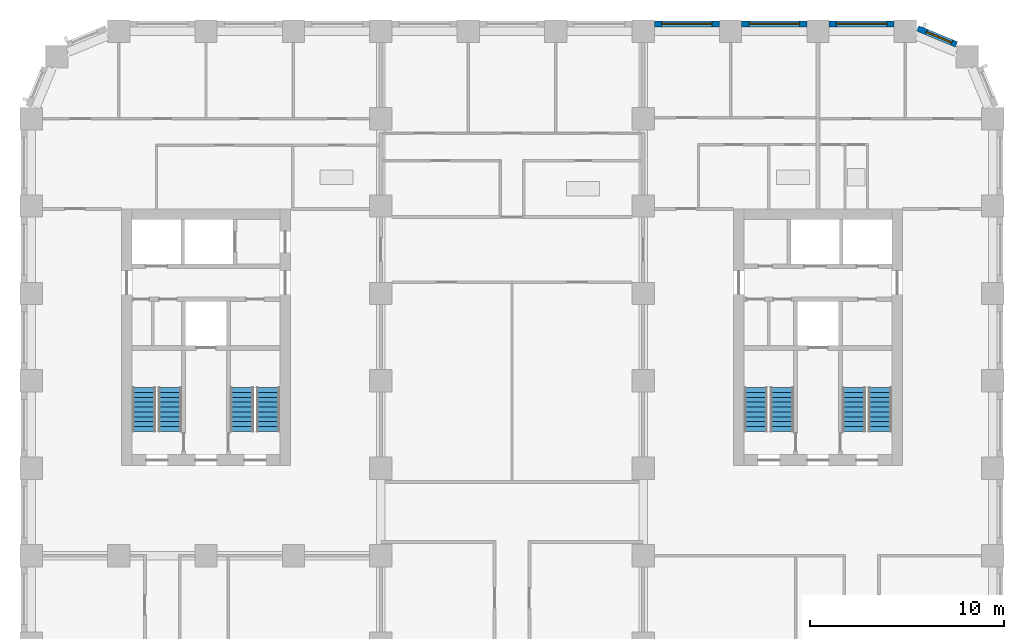
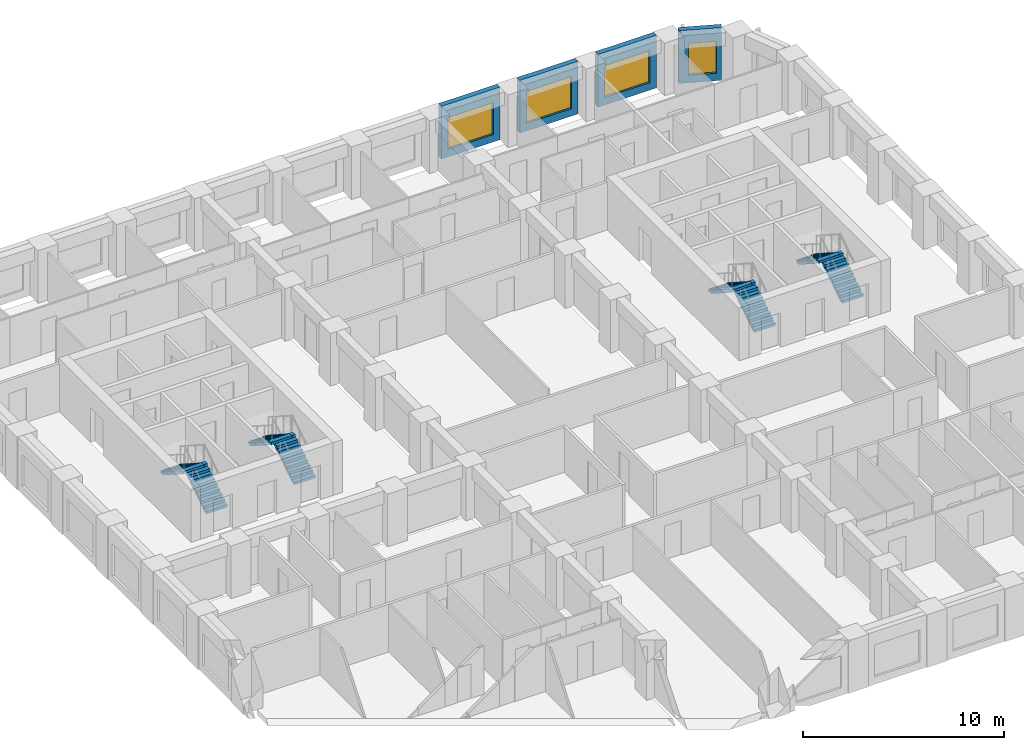
# One storey, part 10 of 13: 8 stair flights, 4 walls, 4 windows, 4 openings, 4 elements without a shape of their own.
"""IFC4 building model written with IfcOpenShell, lengths in metres."""

import ifcopenshell
import ifcopenshell.guid

model = None  # the IFC model being written
_history = None  # IfcOwnerHistory: only IFC2X3 demands one
_inside = {}  # id of a spatial element -> (the spatial element, [elements in it])
_under = {}  # id of a project, library or spatial element -> (it, [spatial elements below it])
_declared = {}  # id of a project -> (the project, [libraries it declares])
_typed = {}  # id of a type object -> (the type object, [elements of that type])
_made_of = {}  # id of a material, layer set ... -> (it, [elements and type objects made of it])


def new_model(schema):
    """Start an empty IFC model of exactly this schema.

    Asked for "IFC4X3", IfcOpenShell would pick the latest addendum, in which some entities
    have other attributes; the version numbers below select the first issue.
    IFC2X3 requires an IfcOwnerHistory on every rooted entity: one is made here for all.
    """
    global model, _history
    if schema == "IFC4X3":
        model = ifcopenshell.file(schema_version=(4, 3, 0, 0))
    else:
        model = ifcopenshell.file(schema=schema)
    _inside.clear()
    _under.clear()
    _declared.clear()
    _typed.clear()
    _made_of.clear()
    _history = None
    if model.schema == "IFC2X3":
        org = make("IfcOrganization", Name="unknown")
        user = make(
            "IfcPersonAndOrganization",
            ThePerson=make("IfcPerson", FamilyName="unknown"),
            TheOrganization=org,
        )
        app = make(
            "IfcApplication",
            ApplicationDeveloper=org,
            Version="unknown",
            ApplicationFullName="unknown",
            ApplicationIdentifier="unknown",
        )
        _history = make(
            "IfcOwnerHistory",
            OwningUser=user,
            OwningApplication=app,
            ChangeAction="ADDED",
            CreationDate=0,
        )
    return model


def make(cls, **values):
    """One entity of the class cls with the attributes given. An attribute that is None is left unset."""
    return model.create_entity(
        cls, **{name: value for name, value in values.items() if value is not None}
    )


def rooted(cls, **values):
    """An entity with a GlobalId (a new one), such as an element, a storey or a relation."""
    return make(cls, GlobalId=ifcopenshell.guid.new(), OwnerHistory=_history, **values)


def si_unit(unit_type, name, prefix=None):
    """IfcSIUnit, for example si_unit("LENGTHUNIT", "METRE", prefix="MILLI")."""
    return make("IfcSIUnit", UnitType=unit_type, Prefix=prefix, Name=name)


def assignment(units):
    """IfcUnitAssignment: the units of a project."""
    return None if units is None else make("IfcUnitAssignment", Units=units)


def point(xyz):
    """IfcCartesianPoint."""
    return None if xyz is None else make("IfcCartesianPoint", Coordinates=xyz)


def direction(xyz):
    """IfcDirection."""
    return None if xyz is None else make("IfcDirection", DirectionRatios=xyz)


def frame(location, z_axis=None, x_axis=None):
    """IfcAxis2Placement3D, a coordinate frame: its origin and axes. An axis left out is left unset."""
    return make(
        "IfcAxis2Placement3D",
        Location=point(location),
        Axis=direction(z_axis),
        RefDirection=direction(x_axis),
    )


def frame_2d(location, x_axis=None):
    """IfcAxis2Placement2D, a coordinate frame in the plane: its origin and x axis."""
    return make(
        "IfcAxis2Placement2D", Location=point(location), RefDirection=direction(x_axis)
    )


def origin():
    """The frame at (0, 0, 0) with its axes left unset."""
    return frame((0.0, 0.0, 0.0))


def place(relative_to, where):
    """IfcLocalPlacement: puts the frame where relative to a parent placement (None: the world)."""
    return make(
        "IfcLocalPlacement", PlacementRelTo=relative_to, RelativePlacement=where
    )


def context(
    kind, dimensions, precision=None, world=None, true_north=None, identifier=None
):
    """IfcGeometricRepresentationContext, for example the 3D "Model" context."""
    return make(
        "IfcGeometricRepresentationContext",
        ContextIdentifier=identifier,
        ContextType=kind,
        CoordinateSpaceDimension=dimensions,
        Precision=precision,
        WorldCoordinateSystem=world,
        TrueNorth=true_north,
    )


def subcontext(parent, identifier, kind, view, scale=None):
    """IfcGeometricRepresentationSubContext, for example "Body" below "Model"."""
    return make(
        "IfcGeometricRepresentationSubContext",
        ContextIdentifier=identifier,
        ContextType=kind,
        ParentContext=parent,
        TargetScale=scale,
        TargetView=view,
    )


def project(units=None, contexts=None):
    """IfcProject with its units and contexts."""
    return rooted(
        "IfcProject",
        Name="project",
        RepresentationContexts=contexts,
        UnitsInContext=assignment(units),
    )


def spatial(cls, under=None, at=None, **own):
    """A site, building, storey or space (cls), placed at a placement, below another one or the project."""
    s = rooted(cls, ObjectPlacement=at, **own)
    if under is not None:
        _under.setdefault(under.id(), (under, []))[1].append(s)
    return s


def polyline(points):
    """IfcPolyline through the points."""
    return make("IfcPolyline", Points=[point(p) for p in points])


def profile(cls, at=None, kind="AREA", **sizes):
    """A parametric profile (cls). Its sizes go by their IFC names, for example OverallWidth=200.0."""
    return make(cls, ProfileType=kind, Position=at, **sizes)


def rectangle(**sizes):
    """IfcRectangleProfileDef."""
    return profile("IfcRectangleProfileDef", **sizes)


def outline(outer, holes=None, kind="AREA"):
    """IfcArbitraryClosedProfileDef: a profile drawn as a closed curve; with holes, ...WithVoids."""
    if holes is None:
        return make("IfcArbitraryClosedProfileDef", ProfileType=kind, OuterCurve=outer)
    return make(
        "IfcArbitraryProfileDefWithVoids",
        ProfileType=kind,
        OuterCurve=outer,
        InnerCurves=holes,
    )


def extrude(swept, where, along, depth):
    """IfcExtrudedAreaSolid: the profile swept, set in the frame where, extruded along a direction by depth."""
    return make(
        "IfcExtrudedAreaSolid",
        SweptArea=swept,
        Position=where,
        ExtrudedDirection=direction(along),
        Depth=depth,
    )


def shape(context_of_items, identifier, shape_type, items):
    """IfcShapeRepresentation: the items that make up one representation, for example the "Body"."""
    return make(
        "IfcShapeRepresentation",
        ContextOfItems=context_of_items,
        RepresentationIdentifier=identifier,
        RepresentationType=shape_type,
        Items=items,
    )


def material(Name=None, Category=None):
    """IfcMaterial."""
    return make("IfcMaterial", Name=Name, Category=Category)


def layer(
    of_material, thickness, ventilated=None, Name=None, Category=None, Priority=None
):
    """IfcMaterialLayer: one layer of a wall or slab, of a material (None: an air gap)."""
    return make(
        "IfcMaterialLayer",
        Material=of_material,
        LayerThickness=thickness,
        IsVentilated=ventilated,
        Name=Name,
        Category=Category,
        Priority=Priority,
    )


def layer_set(layers, Name=None):
    """IfcMaterialLayerSet."""
    return make("IfcMaterialLayerSet", MaterialLayers=layers, LayerSetName=Name)


def made_of(thing, what):
    """Note that an element or type object is made of a material, layer set ...; save() writes the relation."""
    if what is not None:
        _made_of.setdefault(what.id(), (what, []))[1].append(thing)
    return thing


def type_object(cls, material=None, **own):
    """A type object (cls), such as IfcWallType, which elements share."""
    return made_of(rooted(cls, **own), material)


def element(
    cls,
    number,
    at=None,
    inside=None,
    cuts=None,
    type_object=None,
    material=None,
    context=None,
    identifier="Body",
    shape_type=None,
    held_by="IfcProductDefinitionShape",
    body=None,
    shapes=None,
    **own,
):
    """One element of the class cls, such as IfcWall. Its Tag is "e" and its number.

    at: its placement. inside: the storey or other place that contains it. cuts: it is an
    opening in that element (IfcRelVoidsElement). A single representation is given by context,
    identifier, shape_type and body (its items); several are given by shapes. held_by: the class
    of the entity that holds the representations. save() writes the other relations.
    """
    e = rooted(cls, Tag="e%d" % number, ObjectPlacement=at, **own)
    if body is not None:
        shapes = [shape(context, identifier, shape_type, body)]
    if shapes is not None:
        e.Representation = make(held_by, Representations=shapes)
    if inside is not None:
        _inside.setdefault(inside.id(), (inside, []))[1].append(e)
    if cuts is not None:
        rooted(
            "IfcRelVoidsElement", RelatingBuildingElement=cuts, RelatedOpeningElement=e
        )
    if type_object is not None:
        _typed.setdefault(type_object.id(), (type_object, []))[1].append(e)
    return made_of(e, material)


def fill(opening, filler):
    """IfcRelFillsElement: the door or window that sits in an opening."""
    return rooted(
        "IfcRelFillsElement",
        RelatingOpeningElement=opening,
        RelatedBuildingElement=filler,
    )


def aggregate(whole, parts):
    """IfcRelAggregates: a whole, such as a stair, and the parts it consists of."""
    return rooted("IfcRelAggregates", RelatingObject=whole, RelatedObjects=parts)


def save(model, path):
    """Write the relations noted so far, then the file.

    IfcRelAggregates (storeys below a building ...), IfcRelContainedInSpatialStructure (elements
    in a storey), IfcRelDefinesByType, IfcRelAssociatesMaterial and IfcRelDeclares: one each for
    every whole, place, type object, material and project.
    """
    for whole, parts in _under.values():
        aggregate(whole, parts)
    for where, things in _inside.values():
        rooted(
            "IfcRelContainedInSpatialStructure",
            RelatedElements=things,
            RelatingStructure=where,
        )
    for kind, things in _typed.values():
        rooted("IfcRelDefinesByType", RelatedObjects=things, RelatingType=kind)
    for what, things in _made_of.values():
        rooted("IfcRelAssociatesMaterial", RelatedObjects=things, RelatingMaterial=what)
    for by, libraries in _declared.values():
        rooted("IfcRelDeclares", RelatingContext=by, RelatedDefinitions=libraries)
    model.write(path)


model = new_model("IFC4")

# Units and contexts
model_context = context("Model", 3, precision=1e-05, world=origin(), true_north=direction((0.0, 1.0)))
body_context = subcontext(model_context, "Body", "Model", "MODEL_VIEW")
ifc_project = project(units=[si_unit("LENGTHUNIT", "METRE"), si_unit("AREAUNIT", "SQUARE_METRE"), si_unit("VOLUMEUNIT", "CUBIC_METRE"), si_unit("PLANEANGLEUNIT", "RADIAN"), si_unit("MASSUNIT", "GRAM", prefix="KILO")], contexts=[model_context])

# Site, building, storey
site_placement = place(None, origin())
site = spatial("IfcSite", under=ifc_project, at=site_placement, CompositionType="ELEMENT")
building_placement = place(site_placement, origin())
building = spatial("IfcBuilding", under=site, at=building_placement, Name="Girih Gate Residences", CompositionType="ELEMENT")
storey_placement = place(building_placement, frame((0.0, 0.0, 86.39990234375)))
storey = spatial("IfcBuildingStorey", under=building, at=storey_placement, Name="L23", CompositionType="ELEMENT", Elevation=86.39990234375)

# Wall, opening, window
ifc_material_1 = material(Name="Precast concrete C50/60", Category="concrete")
ifc_layer_1 = layer(ifc_material_1, 0.080078125, Name="Outer leaf")
ifc_material_2 = material(Name="Rigid PIR insulation")
ifc_layer_2 = layer(ifc_material_2, 0.14990234375, Name="Insulation")
ifc_material_3 = material(Name="Precast concrete C40/50", Category="concrete")
ifc_layer_3 = layer(ifc_material_3, 0.070068359375, Name="Inner leaf")
ifc_layer_set = layer_set([ifc_layer_1, ifc_layer_2, ifc_layer_3], Name="Precast concrete C50/60 external wall 300")
wall_type = type_object("IfcWallType", Name="Precast concrete C50/60 external wall 300", PredefinedType="SOLIDWALL", material=ifc_layer_set)
wall_1_placement = place(storey_placement, frame((45.63232421875, 49.64404296875, 0.0), z_axis=(0.0, 0.0, 1.0), x_axis=(0.923862802911, -0.382723818695, 0.0)))
wall_1 = element("IfcWall", 1, at=wall_1_placement, inside=storey, type_object=wall_type, Name="External wall NE0482_0482.0", PredefinedType="SOLIDWALL", context=body_context, shape_type="SweptSolid", body=[
    extrude(rectangle(XDim=2.163818359375, YDim=0.300048828125, at=frame_2d((1.08203125, 0.0))), origin(), (0.0, 0.0, 1.0), 3.2001953125),
])
opening_1_placement = place(wall_1_placement, frame((0.492919921875, 0.0, 0.449951171875)))
opening_1 = element("IfcOpeningElement", 2, at=opening_1_placement, cuts=wall_1, Name="Opening W-2D", PredefinedType="OPENING", context=body_context, shape_type="SweptSolid", body=[
    extrude(rectangle(XDim=1.39990234375, YDim=1.949951171875, at=frame_2d((0.699951171875, 0.97509765625))), frame((0.0, 0.159912109375, 0.0), z_axis=(0.0, -1.0, 0.0), x_axis=(1.0, 0.0, 0.0)), (0.0, 0.0, 1.0), 0.320068359375),
])
ifc_material_4 = material(Name="Double glazing in aluminium frame", Category="aluminium")
window_type_1 = type_object("IfcWindowType", Name="Window W-2D 1400x1950", PartitioningType="SINGLE_PANEL", PredefinedType="WINDOW", material=ifc_material_4)
window_1_placement = place(opening_1_placement, origin())
window_1 = element("IfcWindow", 3, at=window_1_placement, inside=storey, type_object=window_type_1, Name="Window W-2D NE0482_0482.0", OverallHeight=1.949951171875, OverallWidth=1.39990234375, PartitioningType="SINGLE_PANEL", PredefinedType="WINDOW", context=body_context, shape_type="SweptSolid", body=[
    extrude(rectangle(XDim=1.39990234375, YDim=1.949951171875, at=frame_2d((0.699951171875, 0.97509765625))), frame((0.0, 0.030029296875, 0.0), z_axis=(0.0, -1.0, 0.0), x_axis=(1.0, 0.0, 0.0)), (0.0, 0.0, 1.0), 0.06005859375),
])
fill(opening_1, window_1)

wall_2_placement = place(storey_placement, frame((41.074951171875, 49.875, 0.0), z_axis=(0.0, 0.0, 1.0), x_axis=(1.0, 0.0, 0.0)))
wall_2 = element("IfcWall", 4, at=wall_2_placement, inside=storey, type_object=wall_type, Name="External wall N0450_0495.0", PredefinedType="SOLIDWALL", context=body_context, shape_type="SweptSolid", body=[
    extrude(rectangle(XDim=3.35009765625, YDim=0.300048828125, at=frame_2d((1.675048828125, 0.0))), origin(), (0.0, 0.0, 1.0), 3.2001953125),
])
opening_2_placement = place(wall_2_placement, frame((0.375, 0.0, 0.449951171875)))
opening_2 = element("IfcOpeningElement", 5, at=opening_2_placement, cuts=wall_2, Name="Opening W-1A", PredefinedType="OPENING", context=body_context, shape_type="SweptSolid", body=[
    extrude(rectangle(XDim=2.60009765625, YDim=1.949951171875, at=frame_2d((1.300048828125, 0.97509765625))), frame((0.0, 0.159912109375, 0.0), z_axis=(0.0, -1.0, 0.0), x_axis=(1.0, 0.0, 0.0)), (0.0, 0.0, 1.0), 0.320068359375),
])
window_type_2 = type_object("IfcWindowType", Name="Window W-1A 2600x1950", PartitioningType="SINGLE_PANEL", PredefinedType="WINDOW", material=ifc_material_4)
window_2_placement = place(opening_2_placement, origin())
window_2 = element("IfcWindow", 6, at=window_2_placement, inside=storey, type_object=window_type_2, Name="Window W-1A N0450_0495.0", OverallHeight=1.949951171875, OverallWidth=2.60009765625, PartitioningType="SINGLE_PANEL", PredefinedType="WINDOW", context=body_context, shape_type="SweptSolid", body=[
    extrude(rectangle(XDim=2.60009765625, YDim=1.949951171875, at=frame_2d((1.300048828125, 0.97509765625))), frame((0.0, 0.030029296875, 0.0), z_axis=(0.0, -1.0, 0.0), x_axis=(1.0, 0.0, 0.0)), (0.0, 0.0, 1.0), 0.06005859375),
])
fill(opening_2, window_2)

wall_3_placement = place(storey_placement, frame((36.574951171875, 49.875, 0.0), z_axis=(0.0, 0.0, 1.0), x_axis=(1.0, 0.0, 0.0)))
wall_3 = element("IfcWall", 7, at=wall_3_placement, inside=storey, type_object=wall_type, Name="External wall N0450_0495.1", PredefinedType="SOLIDWALL", context=body_context, shape_type="SweptSolid", body=[
    extrude(rectangle(XDim=3.35009765625, YDim=0.300048828125, at=frame_2d((1.675048828125, 0.0))), origin(), (0.0, 0.0, 1.0), 3.2001953125),
])
opening_3_placement = place(wall_3_placement, frame((0.375, 0.0, 0.449951171875)))
opening_3 = element("IfcOpeningElement", 8, at=opening_3_placement, cuts=wall_3, Name="Opening W-1A", PredefinedType="OPENING", context=body_context, shape_type="SweptSolid", body=[
    extrude(rectangle(XDim=2.60009765625, YDim=1.949951171875, at=frame_2d((1.300048828125, 0.97509765625))), frame((0.0, 0.159912109375, 0.0), z_axis=(0.0, -1.0, 0.0), x_axis=(1.0, 0.0, 0.0)), (0.0, 0.0, 1.0), 0.320068359375),
])
window_3_placement = place(opening_3_placement, origin())
window_3 = element("IfcWindow", 9, at=window_3_placement, inside=storey, type_object=window_type_2, Name="Window W-1A N0450_0495.1", OverallHeight=1.949951171875, OverallWidth=2.60009765625, PartitioningType="SINGLE_PANEL", PredefinedType="WINDOW", context=body_context, shape_type="SweptSolid", body=[
    extrude(rectangle(XDim=2.60009765625, YDim=1.949951171875, at=frame_2d((1.300048828125, 0.97509765625))), frame((0.0, 0.030029296875, 0.0), z_axis=(0.0, -1.0, 0.0), x_axis=(1.0, 0.0, 0.0)), (0.0, 0.0, 1.0), 0.06005859375),
])
fill(opening_3, window_3)

wall_4_placement = place(storey_placement, frame((32.074951171875, 49.875, 0.0), z_axis=(0.0, 0.0, 1.0), x_axis=(1.0, 0.0, 0.0)))
wall_4 = element("IfcWall", 10, at=wall_4_placement, inside=storey, type_object=wall_type, Name="External wall N0450_0495.2", PredefinedType="SOLIDWALL", context=body_context, shape_type="SweptSolid", body=[
    extrude(rectangle(XDim=3.35009765625, YDim=0.300048828125, at=frame_2d((1.675048828125, 0.0))), origin(), (0.0, 0.0, 1.0), 3.2001953125),
])
opening_4_placement = place(wall_4_placement, frame((0.375, 0.0, 0.449951171875)))
opening_4 = element("IfcOpeningElement", 11, at=opening_4_placement, cuts=wall_4, Name="Opening W-1A", PredefinedType="OPENING", context=body_context, shape_type="SweptSolid", body=[
    extrude(rectangle(XDim=2.60009765625, YDim=1.949951171875, at=frame_2d((1.300048828125, 0.97509765625))), frame((0.0, 0.159912109375, 0.0), z_axis=(0.0, -1.0, 0.0), x_axis=(1.0, 0.0, 0.0)), (0.0, 0.0, 1.0), 0.320068359375),
])
window_4_placement = place(opening_4_placement, origin())
window_4 = element("IfcWindow", 12, at=window_4_placement, inside=storey, type_object=window_type_2, Name="Window W-1A N0450_0495.2", OverallHeight=1.949951171875, OverallWidth=2.60009765625, PartitioningType="SINGLE_PANEL", PredefinedType="WINDOW", context=body_context, shape_type="SweptSolid", body=[
    extrude(rectangle(XDim=2.60009765625, YDim=1.949951171875, at=frame_2d((1.300048828125, 0.97509765625))), frame((0.0, 0.030029296875, 0.0), z_axis=(0.0, -1.0, 0.0), x_axis=(1.0, 0.0, 0.0)), (0.0, 0.0, 1.0), 0.06005859375),
])
fill(opening_4, window_4)

# Stair, stair flights
ifc_material_5 = material(Name="Concrete C40/50", Category="concrete")
stair_type = type_object("IfcStairType", Name="Exit stair", PredefinedType="HALF_TURN_STAIR", material=ifc_material_5)
stair_1_placement = place(storey_placement, origin())
stair_1 = element("IfcStair", 13, at=stair_1_placement, inside=storey, type_object=stair_type, Name="L23 Exit Stair ST-W1", PredefinedType="HALF_TURN_STAIR")
stair_flight_type = type_object("IfcStairFlightType", Name="Stair flight 1200", PredefinedType="STRAIGHT", material=ifc_material_5)
stair_flight_1_placement = place(storey_placement, frame((7.14990234375, 28.89990234375, 0.0), z_axis=(0.0, 0.0, 1.0), x_axis=(0.0, 1.0, 0.0)))
stair_flight_1 = element("IfcStairFlight", 14, at=stair_flight_1_placement, type_object=stair_flight_type, Name="ST-W1 flight 1", NumberOfRisers=10, NumberOfTreads=9, PredefinedType="STRAIGHT", RiserHeight=0.16, TreadLength=0.25, context=body_context, shape_type="SweptSolid", body=[
    extrude(outline(polyline([(0.0, 0.0), (0.0, 0.159912109375), (0.25, 0.159912109375), (0.25, 0.320068359375), (0.5, 0.320068359375), (0.5, 0.47998046875), (0.75, 0.47998046875), (0.75, 0.639892578125), (1.0, 0.639892578125), (1.0, 0.800048828125), (1.25, 0.800048828125), (1.25, 0.9599609375), (1.5, 0.9599609375), (1.5, 1.1201171875), (1.75, 1.1201171875), (1.75, 1.280029296875), (2.0, 1.280029296875), (2.0, 1.43994140625), (2.25, 1.43994140625), (2.25, 1.60009765625), (2.25, 1.29736328125), (0.222900390625, 0.0), (0.0, 0.0)])), frame((0.0, 0.60009765625, 0.0), z_axis=(0.0, -1.0, 0.0), x_axis=(1.0, 0.0, 0.0)), (0.0, 0.0, 1.0), 1.199951171875),
])
stair_flight_2_placement = place(storey_placement, frame((5.800048828125, 31.14990234375, 1.60009765625), z_axis=(0.0, 0.0, 1.0), x_axis=(0.0, -1.0, 0.0)))
stair_flight_2 = element("IfcStairFlight", 15, at=stair_flight_2_placement, type_object=stair_flight_type, Name="ST-W1 flight 2", NumberOfRisers=10, NumberOfTreads=9, PredefinedType="STRAIGHT", RiserHeight=0.16, TreadLength=0.25, context=body_context, shape_type="SweptSolid", body=[
    extrude(outline(polyline([(0.0, 0.0), (0.0, 0.159912109375), (0.25, 0.159912109375), (0.25, 0.320068359375), (0.5, 0.320068359375), (0.5, 0.47998046875), (0.75, 0.47998046875), (0.75, 0.639892578125), (1.0, 0.639892578125), (1.0, 0.800048828125), (1.25, 0.800048828125), (1.25, 0.9599609375), (1.5, 0.9599609375), (1.5, 1.1201171875), (1.75, 1.1201171875), (1.75, 1.280029296875), (2.0, 1.280029296875), (2.0, 1.43994140625), (2.25, 1.43994140625), (2.25, 1.60009765625), (2.25, 1.29736328125), (0.222900390625, 0.0), (0.0, 0.0)])), frame((0.0, 0.60009765625, 0.0), z_axis=(0.0, -1.0, 0.0), x_axis=(1.0, 0.0, 0.0)), (0.0, 0.0, 1.0), 1.199951171875),
])
aggregate(stair_1, [stair_flight_1, stair_flight_2])

stair_2_placement = place(storey_placement, origin())
stair_2 = element("IfcStair", 16, at=stair_2_placement, inside=storey, type_object=stair_type, Name="L23 Exit Stair ST-W2", PredefinedType="HALF_TURN_STAIR")
stair_flight_3_placement = place(storey_placement, frame((12.199951171875, 28.89990234375, 0.0), z_axis=(0.0, 0.0, 1.0), x_axis=(0.0, 1.0, 0.0)))
stair_flight_3 = element("IfcStairFlight", 17, at=stair_flight_3_placement, type_object=stair_flight_type, Name="ST-W2 flight 1", NumberOfRisers=10, NumberOfTreads=9, PredefinedType="STRAIGHT", RiserHeight=0.16, TreadLength=0.25, context=body_context, shape_type="SweptSolid", body=[
    extrude(outline(polyline([(0.0, 0.0), (0.0, 0.159912109375), (0.25, 0.159912109375), (0.25, 0.320068359375), (0.5, 0.320068359375), (0.5, 0.47998046875), (0.75, 0.47998046875), (0.75, 0.639892578125), (1.0, 0.639892578125), (1.0, 0.800048828125), (1.25, 0.800048828125), (1.25, 0.9599609375), (1.5, 0.9599609375), (1.5, 1.1201171875), (1.75, 1.1201171875), (1.75, 1.280029296875), (2.0, 1.280029296875), (2.0, 1.43994140625), (2.25, 1.43994140625), (2.25, 1.60009765625), (2.25, 1.29736328125), (0.222900390625, 0.0), (0.0, 0.0)])), frame((0.0, 0.60009765625, 0.0), z_axis=(0.0, -1.0, 0.0), x_axis=(1.0, 0.0, 0.0)), (0.0, 0.0, 1.0), 1.199951171875),
])
stair_flight_4_placement = place(storey_placement, frame((10.85009765625, 31.14990234375, 1.60009765625), z_axis=(0.0, 0.0, 1.0), x_axis=(0.0, -1.0, 0.0)))
stair_flight_4 = element("IfcStairFlight", 18, at=stair_flight_4_placement, type_object=stair_flight_type, Name="ST-W2 flight 2", NumberOfRisers=10, NumberOfTreads=9, PredefinedType="STRAIGHT", RiserHeight=0.16, TreadLength=0.25, context=body_context, shape_type="SweptSolid", body=[
    extrude(outline(polyline([(0.0, 0.0), (0.0, 0.159912109375), (0.25, 0.159912109375), (0.25, 0.320068359375), (0.5, 0.320068359375), (0.5, 0.47998046875), (0.75, 0.47998046875), (0.75, 0.639892578125), (1.0, 0.639892578125), (1.0, 0.800048828125), (1.25, 0.800048828125), (1.25, 0.9599609375), (1.5, 0.9599609375), (1.5, 1.1201171875), (1.75, 1.1201171875), (1.75, 1.280029296875), (2.0, 1.280029296875), (2.0, 1.43994140625), (2.25, 1.43994140625), (2.25, 1.60009765625), (2.25, 1.29736328125), (0.222900390625, 0.0), (0.0, 0.0)])), frame((0.0, 0.60009765625, 0.0), z_axis=(0.0, -1.0, 0.0), x_axis=(1.0, 0.0, 0.0)), (0.0, 0.0, 1.0), 1.199951171875),
])
aggregate(stair_2, [stair_flight_3, stair_flight_4])

stair_3_placement = place(storey_placement, origin())
stair_3 = element("IfcStair", 19, at=stair_3_placement, inside=storey, type_object=stair_type, Name="L23 Exit Stair ST-E1", PredefinedType="HALF_TURN_STAIR")
stair_flight_5_placement = place(storey_placement, frame((43.699951171875, 28.89990234375, 0.0), z_axis=(0.0, 0.0, 1.0), x_axis=(0.0, 1.0, 0.0)))
stair_flight_5 = element("IfcStairFlight", 20, at=stair_flight_5_placement, type_object=stair_flight_type, Name="ST-E1 flight 1", NumberOfRisers=10, NumberOfTreads=9, PredefinedType="STRAIGHT", RiserHeight=0.16, TreadLength=0.25, context=body_context, shape_type="SweptSolid", body=[
    extrude(outline(polyline([(0.0, 0.0), (0.0, 0.159912109375), (0.25, 0.159912109375), (0.25, 0.320068359375), (0.5, 0.320068359375), (0.5, 0.47998046875), (0.75, 0.47998046875), (0.75, 0.639892578125), (1.0, 0.639892578125), (1.0, 0.800048828125), (1.25, 0.800048828125), (1.25, 0.9599609375), (1.5, 0.9599609375), (1.5, 1.1201171875), (1.75, 1.1201171875), (1.75, 1.280029296875), (2.0, 1.280029296875), (2.0, 1.43994140625), (2.25, 1.43994140625), (2.25, 1.60009765625), (2.25, 1.29736328125), (0.222900390625, 0.0), (0.0, 0.0)])), frame((0.0, 0.60009765625, 0.0), z_axis=(0.0, -1.0, 0.0), x_axis=(1.0, 0.0, 0.0)), (0.0, 0.0, 1.0), 1.199951171875),
])
stair_flight_6_placement = place(storey_placement, frame((42.35009765625, 31.14990234375, 1.60009765625), z_axis=(0.0, 0.0, 1.0), x_axis=(0.0, -1.0, 0.0)))
stair_flight_6 = element("IfcStairFlight", 21, at=stair_flight_6_placement, type_object=stair_flight_type, Name="ST-E1 flight 2", NumberOfRisers=10, NumberOfTreads=9, PredefinedType="STRAIGHT", RiserHeight=0.16, TreadLength=0.25, context=body_context, shape_type="SweptSolid", body=[
    extrude(outline(polyline([(0.0, 0.0), (0.0, 0.159912109375), (0.25, 0.159912109375), (0.25, 0.320068359375), (0.5, 0.320068359375), (0.5, 0.47998046875), (0.75, 0.47998046875), (0.75, 0.639892578125), (1.0, 0.639892578125), (1.0, 0.800048828125), (1.25, 0.800048828125), (1.25, 0.9599609375), (1.5, 0.9599609375), (1.5, 1.1201171875), (1.75, 1.1201171875), (1.75, 1.280029296875), (2.0, 1.280029296875), (2.0, 1.43994140625), (2.25, 1.43994140625), (2.25, 1.60009765625), (2.25, 1.29736328125), (0.222900390625, 0.0), (0.0, 0.0)])), frame((0.0, 0.60009765625, 0.0), z_axis=(0.0, -1.0, 0.0), x_axis=(1.0, 0.0, 0.0)), (0.0, 0.0, 1.0), 1.199951171875),
])
aggregate(stair_3, [stair_flight_5, stair_flight_6])

stair_4_placement = place(storey_placement, origin())
stair_4 = element("IfcStair", 22, at=stair_4_placement, inside=storey, type_object=stair_type, Name="L23 Exit Stair ST-E2", PredefinedType="HALF_TURN_STAIR")
stair_flight_7_placement = place(storey_placement, frame((38.64990234375, 28.89990234375, 0.0), z_axis=(0.0, 0.0, 1.0), x_axis=(0.0, 1.0, 0.0)))
stair_flight_7 = element("IfcStairFlight", 23, at=stair_flight_7_placement, type_object=stair_flight_type, Name="ST-E2 flight 1", NumberOfRisers=10, NumberOfTreads=9, PredefinedType="STRAIGHT", RiserHeight=0.16, TreadLength=0.25, context=body_context, shape_type="SweptSolid", body=[
    extrude(outline(polyline([(0.0, 0.0), (0.0, 0.159912109375), (0.25, 0.159912109375), (0.25, 0.320068359375), (0.5, 0.320068359375), (0.5, 0.47998046875), (0.75, 0.47998046875), (0.75, 0.639892578125), (1.0, 0.639892578125), (1.0, 0.800048828125), (1.25, 0.800048828125), (1.25, 0.9599609375), (1.5, 0.9599609375), (1.5, 1.1201171875), (1.75, 1.1201171875), (1.75, 1.280029296875), (2.0, 1.280029296875), (2.0, 1.43994140625), (2.25, 1.43994140625), (2.25, 1.60009765625), (2.25, 1.29736328125), (0.222900390625, 0.0), (0.0, 0.0)])), frame((0.0, 0.60009765625, 0.0), z_axis=(0.0, -1.0, 0.0), x_axis=(1.0, 0.0, 0.0)), (0.0, 0.0, 1.0), 1.199951171875),
])
stair_flight_8_placement = place(storey_placement, frame((37.300048828125, 31.14990234375, 1.60009765625), z_axis=(0.0, 0.0, 1.0), x_axis=(0.0, -1.0, 0.0)))
stair_flight_8 = element("IfcStairFlight", 24, at=stair_flight_8_placement, type_object=stair_flight_type, Name="ST-E2 flight 2", NumberOfRisers=10, NumberOfTreads=9, PredefinedType="STRAIGHT", RiserHeight=0.16, TreadLength=0.25, context=body_context, shape_type="SweptSolid", body=[
    extrude(outline(polyline([(0.0, 0.0), (0.0, 0.159912109375), (0.25, 0.159912109375), (0.25, 0.320068359375), (0.5, 0.320068359375), (0.5, 0.47998046875), (0.75, 0.47998046875), (0.75, 0.639892578125), (1.0, 0.639892578125), (1.0, 0.800048828125), (1.25, 0.800048828125), (1.25, 0.9599609375), (1.5, 0.9599609375), (1.5, 1.1201171875), (1.75, 1.1201171875), (1.75, 1.280029296875), (2.0, 1.280029296875), (2.0, 1.43994140625), (2.25, 1.43994140625), (2.25, 1.60009765625), (2.25, 1.29736328125), (0.222900390625, 0.0), (0.0, 0.0)])), frame((0.0, 0.60009765625, 0.0), z_axis=(0.0, -1.0, 0.0), x_axis=(1.0, 0.0, 0.0)), (0.0, 0.0, 1.0), 1.199951171875),
])
aggregate(stair_4, [stair_flight_7, stair_flight_8])

save(model, "model.ifc")
